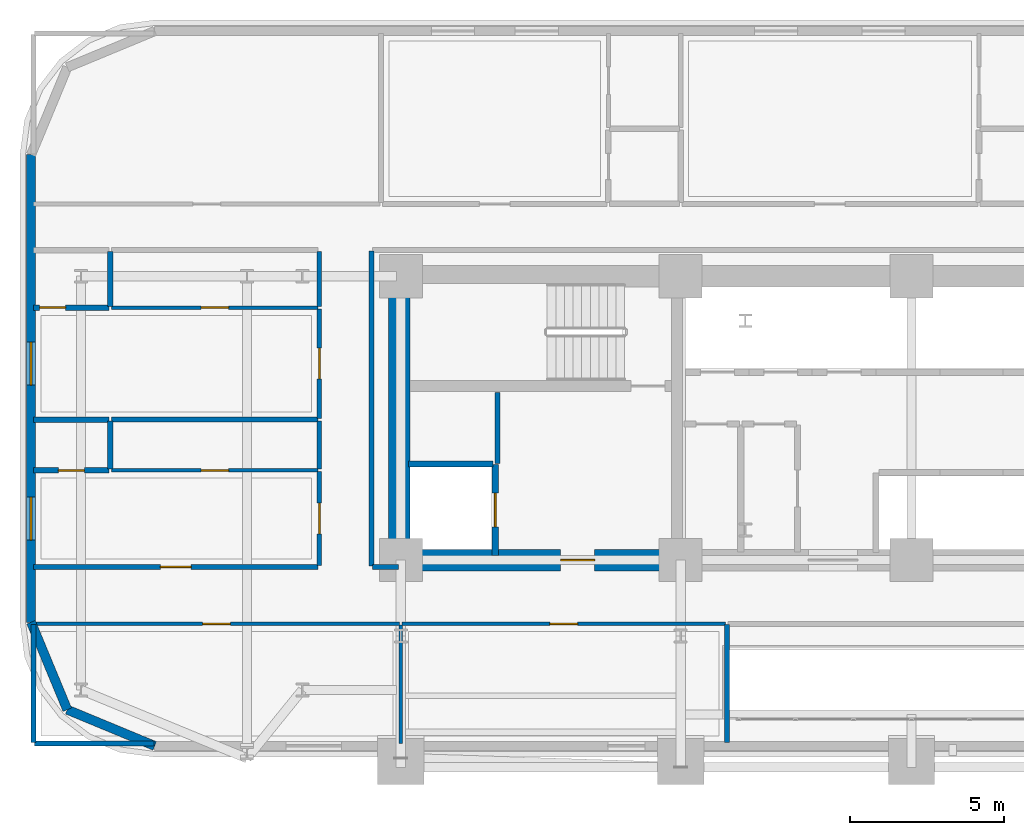
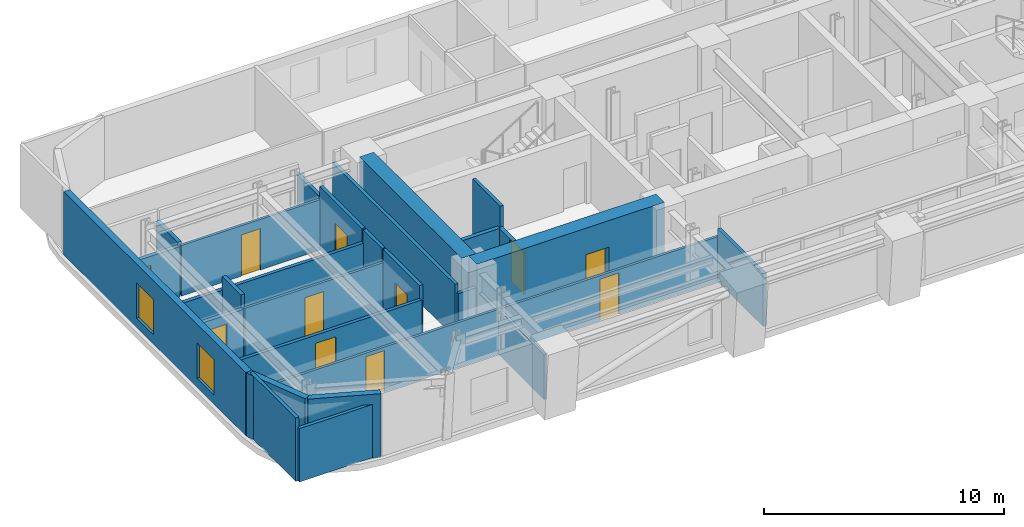
# One storey, part 8 of 16: 29 walls, 11 doors, 2 windows, 13 openings.
"""IFC4 building model written with IfcOpenShell, lengths in metres."""

from ifc_helpers import new_model, si_unit, direction, frame, frame_2d, origin, place, context, subcontext, project, spatial, rectangle, extrude, material, layer, layer_set, type_object, element, fill, save


model = new_model("IFC4")

# Units and contexts
model_context = context("Model", 3, precision=1e-05, world=origin(), true_north=direction((0.0, 1.0)))
body_context = subcontext(model_context, "Body", "Model", "MODEL_VIEW")
ifc_project = project(units=[si_unit("LENGTHUNIT", "METRE"), si_unit("AREAUNIT", "SQUARE_METRE"), si_unit("VOLUMEUNIT", "CUBIC_METRE"), si_unit("PLANEANGLEUNIT", "RADIAN"), si_unit("MASSUNIT", "GRAM", prefix="KILO")], contexts=[model_context])

# Site, building, storey
site_placement = place(None, origin())
site = spatial("IfcSite", under=ifc_project, at=site_placement, CompositionType="ELEMENT")
building_placement = place(site_placement, origin())
building = spatial("IfcBuilding", under=site, at=building_placement, Name="Zarnavel Station Tower", CompositionType="ELEMENT")
storey_placement = place(building_placement, frame((0.0, 0.0, 53.5)))
storey = spatial("IfcBuildingStorey", under=building, at=storey_placement, Name="L14", CompositionType="ELEMENT", Elevation=53.5)

# Wall, opening, door
ifc_material_1 = material(Name="Concrete C60/75", Category="concrete")
ifc_layer_1 = layer(ifc_material_1, 0.699951171875)
ifc_layer_set_1 = layer_set([ifc_layer_1], Name="CW_700")
wall_type_1 = type_object("IfcWallType", Name="CW_700", PredefinedType="SHEAR", material=ifc_layer_set_1)
wall_1_placement = place(storey_placement, frame((21.179931640625, 27.820068359375, 0.0), z_axis=(0.0, 0.0, 1.0), x_axis=(-1.0, 0.0, 0.0)))
wall_1 = element("IfcWall", 1, at=wall_1_placement, inside=storey, type_object=wall_type_1, Name="L14 Rear Core Shear Wall S-W", PredefinedType="SHEAR", context=body_context, shape_type="SweptSolid", body=[
    extrude(rectangle(XDim=9.030029296875, YDim=0.699951171875, at=frame_2d((4.51513671875, 0.0))), origin(), (0.0, 0.0, 1.0), 3.5),
])
opening_1_placement = place(wall_1_placement, frame((2.679931640625, 0.0, 0.0)))
opening_1 = element("IfcOpeningElement", 2, at=opening_1_placement, cuts=wall_1, Name="Opening FD01", PredefinedType="OPENING", context=body_context, shape_type="SweptSolid", body=[
    extrude(rectangle(XDim=1.10009765625, YDim=2.14990234375, at=frame_2d((0.550048828125, 1.074951171875))), frame((0.0, 0.35986328125, 0.0), z_axis=(0.0, -1.0, 0.0), x_axis=(1.0, 0.0, 0.0)), (0.0, 0.0, 1.0), 0.719970703125),
])
ifc_material_2 = material(Name="Painted Galvanised Steel and Hardwood Leaf", Category="steel")
door_type_1 = type_object("IfcDoorType", Name="ID_STAIR_1100", OperationType="NOTDEFINED", PredefinedType="DOOR", material=ifc_material_2)
door_1_placement = place(opening_1_placement, origin())
door_1 = element("IfcDoor", 3, at=door_1_placement, inside=storey, type_object=door_type_1, Name="L14 West Firefighting Lobby Door", OperationType="SINGLE_SWING_RIGHT", OverallHeight=2.14990234375, OverallWidth=1.10009765625, PredefinedType="DOOR", context=body_context, shape_type="SweptSolid", body=[
    extrude(rectangle(XDim=1.10009765625, YDim=2.14990234375, at=frame_2d((0.550048828125, 1.074951171875))), frame((0.0, 0.02490234375, 0.0), z_axis=(0.0, -1.0, 0.0), x_axis=(1.0, 0.0, 0.0)), (0.0, 0.0, 1.0), 0.050048828125),
])
fill(opening_1, door_1)

# Wall
wall_2_placement = place(storey_placement, frame((12.14990234375, 28.169921875, 0.0), z_axis=(0.0, 0.0, 1.0), x_axis=(0.0, 1.0, 0.0)))
element("IfcWall", 4, at=wall_2_placement, inside=storey, type_object=wall_type_1, Name="L14 Rear Core Shear Wall W", PredefinedType="SHEAR", context=body_context, shape_type="SweptSolid", body=[
    extrude(rectangle(XDim=8.530029296875, YDim=0.699951171875, at=frame_2d((4.26513671875, 0.0))), origin(), (0.0, 0.0, 1.0), 3.5),
])

# Wall, openings, windows
ifc_material_3 = material(Name="Precast concrete C45/55 (Dark Basalt Finish)", Category="masonry")
ifc_layer_2 = layer(ifc_material_3, 0.300048828125)
ifc_layer_set_2 = layer_set([ifc_layer_2], Name="EW_BASALT_300")
wall_type_2 = type_object("IfcWallType", Name="EW_BASALT_300", PredefinedType="SOLIDWALL", material=ifc_layer_set_2)
wall_3_placement = place(storey_placement, frame((0.179931640625, 25.800048828125, 0.0), z_axis=(0.0, 0.0, 1.0), x_axis=(0.0, 1.0, 0.0)))
wall_3 = element("IfcWall", 5, at=wall_3_placement, inside=storey, type_object=wall_type_2, Name="L14 Exterior Basalt Masonry Frame Wall 09", PredefinedType="SOLIDWALL", context=body_context, shape_type="SweptSolid", body=[
    extrude(rectangle(XDim=15.199951171875, YDim=0.300048828125, at=frame_2d((7.60009765625, 0.0))), origin(), (0.0, 0.0, 1.0), 3.239990234375),
])
opening_2_placement = place(wall_3_placement, frame((2.67041015625, 0.0, 0.47998046875)))
opening_2 = element("IfcOpeningElement", 6, at=opening_2_placement, cuts=wall_3, Name="Opening WN01", PredefinedType="OPENING", context=body_context, shape_type="SweptSolid", body=[
    extrude(rectangle(XDim=1.39990234375, YDim=1.800048828125, at=frame_2d((0.699951171875, 0.89990234375))), frame((0.0, 0.159912109375, 0.0), z_axis=(0.0, -1.0, 0.0), x_axis=(1.0, 0.0, 0.0)), (0.0, 0.0, 1.0), 0.320068359375),
])
opening_3_placement = place(wall_3_placement, frame((7.708984375, 0.0, 0.47998046875)))
opening_3 = element("IfcOpeningElement", 7, at=opening_3_placement, cuts=wall_3, Name="Opening WN01", PredefinedType="OPENING", context=body_context, shape_type="SweptSolid", body=[
    extrude(rectangle(XDim=1.39990234375, YDim=1.800048828125, at=frame_2d((0.699951171875, 0.89990234375))), frame((0.0, 0.159912109375, 0.0), z_axis=(0.0, -1.0, 0.0), x_axis=(1.0, 0.0, 0.0)), (0.0, 0.0, 1.0), 0.320068359375),
])
ifc_material_4 = material(Name="Thermally Broken Black Aluminium and Low-E Dark Glass", Category="aluminium")
window_type = type_object("IfcWindowType", Name="WN_1400x1800", PartitioningType="DOUBLE_PANEL_VERTICAL", PredefinedType="WINDOW", material=ifc_material_4)
window_1_placement = place(opening_2_placement, origin())
window_1 = element("IfcWindow", 8, at=window_1_placement, inside=storey, type_object=window_type, Name="L14 Recessed Facade Window 01", OverallHeight=1.800048828125, OverallWidth=1.39990234375, PartitioningType="SINGLE_PANEL", PredefinedType="WINDOW", context=body_context, shape_type="SweptSolid", body=[
    extrude(rectangle(XDim=1.39990234375, YDim=1.800048828125, at=frame_2d((0.699951171875, 0.89990234375))), frame((0.0, 0.030029296875, 0.0), z_axis=(0.0, -1.0, 0.0), x_axis=(1.0, 0.0, 0.0)), (0.0, 0.0, 1.0), 0.06005859375),
])
fill(opening_2, window_1)
window_2_placement = place(opening_3_placement, origin())
window_2 = element("IfcWindow", 9, at=window_2_placement, inside=storey, type_object=window_type, Name="L14 Recessed Facade Window 02", OverallHeight=1.800048828125, OverallWidth=1.39990234375, PartitioningType="SINGLE_PANEL", PredefinedType="WINDOW", context=body_context, shape_type="SweptSolid", body=[
    extrude(rectangle(XDim=1.39990234375, YDim=1.800048828125, at=frame_2d((0.699951171875, 0.89990234375))), frame((0.0, 0.030029296875, 0.0), z_axis=(0.0, -1.0, 0.0), x_axis=(1.0, 0.0, 0.0)), (0.0, 0.0, 1.0), 0.06005859375),
])
fill(opening_3, window_2)

# Walls
for number, where, z_axis, x_axis, name in (
    (10, (1.357421875, 22.95751953125, 0.0), (0.0, 0.0, 1.0), (-0.382704529509, 0.923870793506, 0.0), "L14 Exterior Basalt Masonry Frame Wall 10"),
    (11, (4.199951171875, 21.780029296875, 0.0), (0.0, 0.0, 1.0), (-0.923870793506, 0.382704529509, 0.0), "L14 Exterior Basalt Masonry Frame Wall 11"),
):
    element("IfcWall", number, at=place(storey_placement, frame(where, z_axis=z_axis, x_axis=x_axis)), inside=storey, type_object=wall_type_2, Name=name, PredefinedType="SOLIDWALL", context=body_context, shape_type="SweptSolid", body=[
        extrude(rectangle(XDim=3.07666015625, YDim=0.300048828125, at=frame_2d((1.538330078125, 0.0))), origin(), (0.0, 0.0, 1.0), 3.239990234375),
    ])

# Wall, opening, door
ifc_material_5 = material(Name="Gypsum Twin-Stud Acoustic Fire Partition", Category="concrete")
ifc_layer_3 = layer(ifc_material_5, 0.159912109375)
ifc_layer_set_3 = layer_set([ifc_layer_3], Name="PT_DEMISE_160")
wall_type_3 = type_object("IfcWallType", Name="PT_DEMISE_160", PredefinedType="PARTITIONING", material=ifc_layer_set_3)
wall_4_placement = place(storey_placement, frame((0.260009765625, 27.60009765625, 0.0), z_axis=(0.0, 0.0, 1.0), x_axis=(1.0, 0.0, 0.0)))
wall_4 = element("IfcWall", 12, at=wall_4_placement, inside=storey, type_object=wall_type_3, Name="L14 Partition COR-S-FNW1R", PredefinedType="PARTITIONING", context=body_context, shape_type="SweptSolid", body=[
    extrude(rectangle(XDim=9.25, YDim=0.159912109375, at=frame_2d((4.625, 0.0))), origin(), (0.0, 0.0, 1.0), 2.570068359375),
])
opening_4_placement = place(wall_4_placement, frame((4.125, 0.0, 0.0)))
opening_4 = element("IfcOpeningElement", 13, at=opening_4_placement, cuts=wall_4, Name="Opening FD02", PredefinedType="OPENING", context=body_context, shape_type="SweptSolid", body=[
    extrude(rectangle(XDim=1.0, YDim=2.14990234375, at=frame_2d((0.5, 1.074951171875))), frame((0.0, 0.08984375, 0.0), z_axis=(0.0, -1.0, 0.0), x_axis=(1.0, 0.0, 0.0)), (0.0, 0.0, 1.0), 0.179931640625),
])
ifc_material_6 = material(Name="Painted Galvanised Steel and Hardwood Leaf", Category="steel")
door_type_2 = type_object("IfcDoorType", Name="ID_ENTRY_1000", OperationType="NOTDEFINED", PredefinedType="DOOR", material=ifc_material_6)
door_2_placement = place(opening_4_placement, origin())
door_2 = element("IfcDoor", 14, at=door_2_placement, inside=storey, type_object=door_type_2, Name="L14 Door COR-S-FNW1R", OperationType="SINGLE_SWING_RIGHT", OverallHeight=2.14990234375, OverallWidth=1.0, PredefinedType="DOOR", context=body_context, shape_type="SweptSolid", body=[
    extrude(rectangle(XDim=1.0, YDim=2.14990234375, at=frame_2d((0.5, 1.074951171875))), frame((0.0, 0.02490234375, 0.0), z_axis=(0.0, -1.0, 0.0), x_axis=(1.0, 0.0, 0.0)), (0.0, 0.0, 1.0), 0.050048828125),
])
fill(opening_4, door_2)

wall_5_placement = place(storey_placement, frame((9.550048828125, 27.639892578125, 0.0), z_axis=(0.0, 0.0, 1.0), x_axis=(0.0, 1.0, 0.0)))
wall_5 = element("IfcWall", 15, at=wall_5_placement, inside=storey, type_object=wall_type_3, Name="L14 Partition COR-W-FNW1R", PredefinedType="PARTITIONING", context=body_context, shape_type="SweptSolid", body=[
    extrude(rectangle(XDim=3.06103515625, YDim=0.159912109375, at=frame_2d((1.530517578125, 0.0))), origin(), (0.0, 0.0, 1.0), 3.239990234375),
])
opening_5_placement = place(wall_5_placement, frame((1.030517578125, 0.0, 0.0)))
opening_5 = element("IfcOpeningElement", 16, at=opening_5_placement, cuts=wall_5, Name="Opening FD02", PredefinedType="OPENING", context=body_context, shape_type="SweptSolid", body=[
    extrude(rectangle(XDim=1.0, YDim=2.14990234375, at=frame_2d((0.5, 1.074951171875))), frame((0.0, 0.08984375, 0.0), z_axis=(0.0, -1.0, 0.0), x_axis=(1.0, 0.0, 0.0)), (0.0, 0.0, 1.0), 0.179931640625),
])
door_3_placement = place(opening_5_placement, origin())
door_3 = element("IfcDoor", 17, at=door_3_placement, inside=storey, type_object=door_type_2, Name="L14 Door COR-W-FNW1R", OperationType="SINGLE_SWING_RIGHT", OverallHeight=2.14990234375, OverallWidth=1.0, PredefinedType="DOOR", context=body_context, shape_type="SweptSolid", body=[
    extrude(rectangle(XDim=1.0, YDim=2.14990234375, at=frame_2d((0.5, 1.074951171875))), frame((0.0, 0.02490234375, 0.0), z_axis=(0.0, -1.0, 0.0), x_axis=(1.0, 0.0, 0.0)), (0.0, 0.0, 1.0), 0.050048828125),
])
fill(opening_5, door_3)

# Wall
wall_6_placement = place(storey_placement, frame((9.550048828125, 30.781005859375, 0.0), z_axis=(0.0, 0.0, 1.0), x_axis=(0.0, 1.0, 0.0)))
element("IfcWall", 18, at=wall_6_placement, inside=storey, type_object=wall_type_3, Name="L14 Partition COR-W-FNW1S", PredefinedType="PARTITIONING", context=body_context, shape_type="SweptSolid", body=[
    extrude(rectangle(XDim=1.570068359375, YDim=0.159912109375, at=frame_2d((0.78515625, 0.0))), origin(), (0.0, 0.0, 1.0), 3.239990234375),
])

# Wall, opening, door
wall_7_placement = place(storey_placement, frame((9.550048828125, 32.430908203125, 0.0), z_axis=(0.0, 0.0, 1.0), x_axis=(0.0, 1.0, 0.0)))
wall_7 = element("IfcWall", 19, at=wall_7_placement, inside=storey, type_object=wall_type_3, Name="L14 Partition COR-W-FNW2R", PredefinedType="PARTITIONING", context=body_context, shape_type="SweptSolid", body=[
    extrude(rectangle(XDim=3.55615234375, YDim=0.159912109375, at=frame_2d((1.778076171875, 0.0))), origin(), (0.0, 0.0, 1.0), 3.239990234375),
])
opening_6_placement = place(wall_7_placement, frame((1.278076171875, 0.0, 0.0)))
opening_6 = element("IfcOpeningElement", 20, at=opening_6_placement, cuts=wall_7, Name="Opening FD02", PredefinedType="OPENING", context=body_context, shape_type="SweptSolid", body=[
    extrude(rectangle(XDim=1.0, YDim=2.14990234375, at=frame_2d((0.5, 1.074951171875))), frame((0.0, 0.08984375, 0.0), z_axis=(0.0, -1.0, 0.0), x_axis=(1.0, 0.0, 0.0)), (0.0, 0.0, 1.0), 0.179931640625),
])
door_4_placement = place(opening_6_placement, origin())
door_4 = element("IfcDoor", 21, at=door_4_placement, inside=storey, type_object=door_type_2, Name="L14 Door COR-W-FNW2R", OperationType="SINGLE_SWING_LEFT", OverallHeight=2.14990234375, OverallWidth=1.0, PredefinedType="DOOR", context=body_context, shape_type="SweptSolid", body=[
    extrude(rectangle(XDim=1.0, YDim=2.14990234375, at=frame_2d((0.5, 1.074951171875))), frame((0.0, 0.02490234375, 0.0), z_axis=(0.0, -1.0, 0.0), x_axis=(1.0, 0.0, 0.0)), (0.0, 0.0, 1.0), 0.050048828125),
])
fill(opening_6, door_4)

# Walls
wall_8_placement = place(storey_placement, frame((9.550048828125, 36.06689453125, 0.0), z_axis=(0.0, 0.0, 1.0), x_axis=(0.0, 1.0, 0.0)))
element("IfcWall", 22, at=wall_8_placement, inside=storey, type_object=wall_type_3, Name="L14 Partition COR-W-FNW2S", PredefinedType="PARTITIONING", context=body_context, shape_type="SweptSolid", body=[
    extrude(rectangle(XDim=1.793212890625, YDim=0.159912109375, at=frame_2d((0.896484375, 0.0))), origin(), (0.0, 0.0, 1.0), 2.719970703125),
])
wall_9_placement = place(storey_placement, frame((2.800048828125, 32.39111328125, 0.0), z_axis=(0.0, 0.0, 1.0), x_axis=(1.0, 0.0, 0.0)))
element("IfcWall", 23, at=wall_9_placement, inside=storey, type_object=wall_type_3, Name="L14 Partition FNW1S-FNW2R", PredefinedType="PARTITIONING", context=body_context, shape_type="SweptSolid", body=[
    extrude(rectangle(XDim=6.7099609375, YDim=0.159912109375, at=frame_2d((3.35498046875, 0.0))), origin(), (0.0, 0.0, 1.0), 2.570068359375),
])
wall_10_placement = place(storey_placement, frame((15.35009765625, 30.9599609375, 0.0), z_axis=(0.0, 0.0, 1.0), x_axis=(0.0, 1.0, 0.0)))
element("IfcWall", 24, at=wall_10_placement, inside=storey, type_object=wall_type_3, Name="L14 Enclosure Wall FFL1", PredefinedType="PARTITIONING", context=body_context, shape_type="SweptSolid", body=[
    extrude(rectangle(XDim=2.31005859375, YDim=0.159912109375, at=frame_2d((1.155029296875, 0.0))), origin(), (0.0, 0.0, 1.0), 3.239990234375),
])
wall_11_placement = place(storey_placement, frame((11.280029296875, 27.60009765625, 0.0), z_axis=(0.0, 0.0, 1.0), x_axis=(1.0, 0.0, 0.0)))
element("IfcWall", 25, at=wall_11_placement, inside=storey, type_object=wall_type_3, Name="L14 Enclosure Wall COR-S", PredefinedType="PARTITIONING", context=body_context, shape_type="SweptSolid", body=[
    extrude(rectangle(XDim=0.840087890625, YDim=0.159912109375, at=frame_2d((0.419921875, 0.0))), origin(), (0.0, 0.0, 1.0), 2.280029296875),
])
wall_12_placement = place(storey_placement, frame((11.25, 27.6298828125, 0.0), z_axis=(0.0, 0.0, 1.0), x_axis=(0.0, 1.0, 0.0)))
element("IfcWall", 26, at=wall_12_placement, inside=storey, type_object=wall_type_3, Name="L14 Enclosure Wall COR-W", PredefinedType="PARTITIONING", context=body_context, shape_type="SweptSolid", body=[
    extrude(rectangle(XDim=10.240234375, YDim=0.159912109375, at=frame_2d((5.1201171875, 0.0))), origin(), (0.0, 0.0, 1.0), 2.719970703125),
])
wall_13_placement = place(storey_placement, frame((0.2900390625, 21.860107421875, 0.0), z_axis=(0.0, 0.0, 1.0), x_axis=(1.0, 0.0, 0.0)))
element("IfcWall", 27, at=wall_13_placement, inside=storey, type_object=wall_type_3, Name="L14 Enclosure Wall Z1BIZ", PredefinedType="PARTITIONING", context=body_context, shape_type="SweptSolid", body=[
    extrude(rectangle(XDim=3.8798828125, YDim=0.159912109375, at=frame_2d((1.93994140625, 0.0))), origin(), (0.0, 0.0, 1.0), 2.719970703125),
])
wall_14_placement = place(storey_placement, frame((0.260009765625, 21.889892578125, 0.0), z_axis=(0.0, 0.0, 1.0), x_axis=(0.0, 1.0, 0.0)))
element("IfcWall", 28, at=wall_14_placement, inside=storey, type_object=wall_type_3, Name="L14 Enclosure Wall Z1BIZ", PredefinedType="PARTITIONING", context=body_context, shape_type="SweptSolid", body=[
    extrude(rectangle(XDim=3.830078125, YDim=0.159912109375, at=frame_2d((1.9150390625, 0.0))), origin(), (0.0, 0.0, 1.0), 3.239990234375),
])
wall_15_placement = place(storey_placement, frame((22.800048828125, 21.889892578125, 0.0), z_axis=(0.0, 0.0, 1.0), x_axis=(0.0, 1.0, 0.0)))
element("IfcWall", 29, at=wall_15_placement, inside=storey, type_object=wall_type_3, Name="L14 Enclosure Wall Z1BRD", PredefinedType="PARTITIONING", context=body_context, shape_type="SweptSolid", body=[
    extrude(rectangle(XDim=3.830078125, YDim=0.159912109375, at=frame_2d((1.9150390625, 0.0))), origin(), (0.0, 0.0, 1.0), 2.679931640625),
])

# Wall, opening, door
ifc_material_7 = material(Name="Gypsum Metal-Stud Interior Partition", Category="concrete")
ifc_layer_4 = layer(ifc_material_7, 0.1201171875)
ifc_layer_set_4 = layer_set([ifc_layer_4], Name="PT_ROOM_120")
wall_type_4 = type_object("IfcWallType", Name="PT_ROOM_120", PredefinedType="PARTITIONING", material=ifc_layer_set_4)
wall_16_placement = place(storey_placement, frame((0.260009765625, 25.75, 0.0), z_axis=(0.0, 0.0, 1.0), x_axis=(1.0, 0.0, 0.0)))
wall_16 = element("IfcWall", 30, at=wall_16_placement, inside=storey, type_object=wall_type_4, Name="L14 Partition COR-S-Z1BIZ", PredefinedType="PARTITIONING", context=body_context, shape_type="SweptSolid", body=[
    extrude(rectangle(XDim=11.89990234375, YDim=0.1201171875, at=frame_2d((5.949951171875, 0.0))), origin(), (0.0, 0.0, 1.0), 2.280029296875),
])
opening_7_placement = place(wall_16_placement, frame((5.5, 0.0, 0.0)))
opening_7 = element("IfcOpeningElement", 31, at=opening_7_placement, cuts=wall_16, Name="Opening ID01", PredefinedType="OPENING", context=body_context, shape_type="SweptSolid", body=[
    extrude(rectangle(XDim=0.89990234375, YDim=2.10009765625, at=frame_2d((0.449951171875, 1.050048828125))), frame((0.0, 0.070068359375, 0.0), z_axis=(0.0, -1.0, 0.0), x_axis=(1.0, 0.0, 0.0)), (0.0, 0.0, 1.0), 0.14013671875),
])
ifc_material_8 = material(Name="Painted Galvanised Steel and Hardwood Leaf", Category="steel")
door_type_3 = type_object("IfcDoorType", Name="ID_ROOM_900", OperationType="NOTDEFINED", PredefinedType="DOOR", material=ifc_material_8)
door_5_placement = place(opening_7_placement, origin())
door_5 = element("IfcDoor", 32, at=door_5_placement, inside=storey, type_object=door_type_3, Name="L14 Door COR-S-Z1BIZ", OperationType="SINGLE_SWING_RIGHT", OverallHeight=2.10009765625, OverallWidth=0.89990234375, PredefinedType="DOOR", context=body_context, shape_type="SweptSolid", body=[
    extrude(rectangle(XDim=0.89990234375, YDim=2.10009765625, at=frame_2d((0.449951171875, 1.050048828125))), frame((0.0, 0.02490234375, 0.0), z_axis=(0.0, -1.0, 0.0), x_axis=(1.0, 0.0, 0.0)), (0.0, 0.0, 1.0), 0.050048828125),
])
fill(opening_7, door_5)

wall_17_placement = place(storey_placement, frame((12.239990234375, 25.75, 0.0), z_axis=(0.0, 0.0, 1.0), x_axis=(1.0, 0.0, 0.0)))
wall_17 = element("IfcWall", 33, at=wall_17_placement, inside=storey, type_object=wall_type_4, Name="L14 Partition COR-S-Z1BRD", PredefinedType="PARTITIONING", context=body_context, shape_type="SweptSolid", body=[
    extrude(rectangle(XDim=10.52001953125, YDim=0.1201171875, at=frame_2d((5.260009765625, 0.0))), origin(), (0.0, 0.0, 1.0), 2.280029296875),
])
opening_8_placement = place(wall_17_placement, frame((4.81005859375, 0.0, 0.0)))
opening_8 = element("IfcOpeningElement", 34, at=opening_8_placement, cuts=wall_17, Name="Opening ID01", PredefinedType="OPENING", context=body_context, shape_type="SweptSolid", body=[
    extrude(rectangle(XDim=0.89990234375, YDim=2.10009765625, at=frame_2d((0.449951171875, 1.050048828125))), frame((0.0, 0.070068359375, 0.0), z_axis=(0.0, -1.0, 0.0), x_axis=(1.0, 0.0, 0.0)), (0.0, 0.0, 1.0), 0.14013671875),
])
door_6_placement = place(opening_8_placement, origin())
door_6 = element("IfcDoor", 35, at=door_6_placement, inside=storey, type_object=door_type_3, Name="L14 Door COR-S-Z1BRD", OperationType="SINGLE_SWING_LEFT", OverallHeight=2.10009765625, OverallWidth=0.89990234375, PredefinedType="DOOR", context=body_context, shape_type="SweptSolid", body=[
    extrude(rectangle(XDim=0.89990234375, YDim=2.10009765625, at=frame_2d((0.449951171875, 1.050048828125))), frame((0.0, 0.02490234375, 0.0), z_axis=(0.0, -1.0, 0.0), x_axis=(1.0, 0.0, 0.0)), (0.0, 0.0, 1.0), 0.050048828125),
])
fill(opening_8, door_6)

wall_18_placement = place(storey_placement, frame((2.800048828125, 30.740966796875, 0.0), z_axis=(0.0, 0.0, 1.0), x_axis=(1.0, 0.0, 0.0)))
wall_18 = element("IfcWall", 36, at=wall_18_placement, inside=storey, type_object=wall_type_4, Name="L14 Partition FNW1R-FNW1S", PredefinedType="PARTITIONING", context=body_context, shape_type="SweptSolid", body=[
    extrude(rectangle(XDim=6.7099609375, YDim=0.1201171875, at=frame_2d((3.35498046875, 0.0))), origin(), (0.0, 0.0, 1.0), 2.570068359375),
])
opening_9_placement = place(wall_18_placement, frame((2.905029296875, 0.0, 0.0)))
opening_9 = element("IfcOpeningElement", 37, at=opening_9_placement, cuts=wall_18, Name="Opening ID01", PredefinedType="OPENING", context=body_context, shape_type="SweptSolid", body=[
    extrude(rectangle(XDim=0.89990234375, YDim=2.10009765625, at=frame_2d((0.449951171875, 1.050048828125))), frame((0.0, 0.070068359375, 0.0), z_axis=(0.0, -1.0, 0.0), x_axis=(1.0, 0.0, 0.0)), (0.0, 0.0, 1.0), 0.14013671875),
])
door_7_placement = place(opening_9_placement, origin())
door_7 = element("IfcDoor", 38, at=door_7_placement, inside=storey, type_object=door_type_3, Name="L14 Door FNW1R-FNW1S", OperationType="SINGLE_SWING_RIGHT", OverallHeight=2.10009765625, OverallWidth=0.89990234375, PredefinedType="DOOR", context=body_context, shape_type="SweptSolid", body=[
    extrude(rectangle(XDim=0.89990234375, YDim=2.10009765625, at=frame_2d((0.449951171875, 1.050048828125))), frame((0.0, 0.02490234375, 0.0), z_axis=(0.0, -1.0, 0.0), x_axis=(1.0, 0.0, 0.0)), (0.0, 0.0, 1.0), 0.050048828125),
])
fill(opening_9, door_7)

wall_19_placement = place(storey_placement, frame((2.800048828125, 36.027099609375, 0.0), z_axis=(0.0, 0.0, 1.0), x_axis=(1.0, 0.0, 0.0)))
wall_19 = element("IfcWall", 39, at=wall_19_placement, inside=storey, type_object=wall_type_4, Name="L14 Partition FNW2R-FNW2S", PredefinedType="PARTITIONING", context=body_context, shape_type="SweptSolid", body=[
    extrude(rectangle(XDim=6.7099609375, YDim=0.1201171875, at=frame_2d((3.35498046875, 0.0))), origin(), (0.0, 0.0, 1.0), 2.570068359375),
])
opening_10_placement = place(wall_19_placement, frame((2.905029296875, 0.0, 0.0)))
opening_10 = element("IfcOpeningElement", 40, at=opening_10_placement, cuts=wall_19, Name="Opening ID01", PredefinedType="OPENING", context=body_context, shape_type="SweptSolid", body=[
    extrude(rectangle(XDim=0.89990234375, YDim=2.10009765625, at=frame_2d((0.449951171875, 1.050048828125))), frame((0.0, 0.070068359375, 0.0), z_axis=(0.0, -1.0, 0.0), x_axis=(1.0, 0.0, 0.0)), (0.0, 0.0, 1.0), 0.14013671875),
])
door_8_placement = place(opening_10_placement, origin())
door_8 = element("IfcDoor", 41, at=door_8_placement, inside=storey, type_object=door_type_3, Name="L14 Door FNW2R-FNW2S", OperationType="SINGLE_SWING_RIGHT", OverallHeight=2.10009765625, OverallWidth=0.89990234375, PredefinedType="DOOR", context=body_context, shape_type="SweptSolid", body=[
    extrude(rectangle(XDim=0.89990234375, YDim=2.10009765625, at=frame_2d((0.449951171875, 1.050048828125))), frame((0.0, 0.02490234375, 0.0), z_axis=(0.0, -1.0, 0.0), x_axis=(1.0, 0.0, 0.0)), (0.0, 0.0, 1.0), 0.050048828125),
])
fill(opening_10, door_8)

# Wall
wall_20_placement = place(storey_placement, frame((12.199951171875, 21.860107421875, 0.0), z_axis=(0.0, 0.0, 1.0), x_axis=(0.0, 1.0, 0.0)))
element("IfcWall", 42, at=wall_20_placement, inside=storey, type_object=wall_type_4, Name="L14 Partition Z1BIZ-Z1BRD", PredefinedType="PARTITIONING", context=body_context, shape_type="SweptSolid", body=[
    extrude(rectangle(XDim=3.849853515625, YDim=0.1201171875, at=frame_2d((1.9248046875, 0.0))), origin(), (0.0, 0.0, 1.0), 2.280029296875),
])

# Wall, opening, door
ifc_material_9 = material(Name="Precast concrete C45/55 (Fire Shaft Blockwork)", Category="masonry")
ifc_layer_5 = layer(ifc_material_9, 0.199951171875)
ifc_layer_set_5 = layer_set([ifc_layer_5], Name="PT_SHAFT_200")
wall_type_5 = type_object("IfcWallType", Name="PT_SHAFT_200", PredefinedType="PARTITIONING", material=ifc_layer_set_5)
wall_21_placement = place(storey_placement, frame((15.27001953125, 27.969970703125, 0.0), z_axis=(0.0, 0.0, 1.0), x_axis=(0.0, 1.0, 0.0)))
wall_21 = element("IfcWall", 43, at=wall_21_placement, inside=storey, type_object=wall_type_5, Name="L14 Lift FFL-01 Shaft Front Wall", PredefinedType="PARTITIONING", context=body_context, shape_type="SweptSolid", body=[
    extrude(rectangle(XDim=2.9599609375, YDim=0.199951171875, at=frame_2d((1.47998046875, 0.0))), origin(), (0.0, 0.0, 1.0), 2.2119140625),
])
opening_11_placement = place(wall_21_placement, frame((0.929931640625, 0.0, 0.0)))
opening_11 = element("IfcOpeningElement", 44, at=opening_11_placement, cuts=wall_21, Name="Opening LD01", PredefinedType="OPENING", context=body_context, shape_type="SweptSolid", body=[
    extrude(rectangle(XDim=1.10009765625, YDim=2.14990234375, at=frame_2d((0.550048828125, 1.074951171875))), frame((0.0, 0.10986328125, 0.0), z_axis=(0.0, -1.0, 0.0), x_axis=(1.0, 0.0, 0.0)), (0.0, 0.0, 1.0), 0.219970703125),
])
ifc_material_10 = material(Name="Painted Galvanised Steel and Hardwood Leaf", Category="steel")
door_type_4 = type_object("IfcDoorType", Name="LD_FF_1100", OperationType="DOUBLE_DOOR_SLIDING", PredefinedType="DOOR", material=ifc_material_10)
door_9_placement = place(opening_11_placement, origin())
door_9 = element("IfcDoor", 45, at=door_9_placement, inside=storey, type_object=door_type_4, Name="L14 Lift FFL-01 Sliding Landing Door", OperationType="DOUBLE_DOOR_SLIDING", OverallHeight=2.14990234375, OverallWidth=1.10009765625, PredefinedType="DOOR", context=body_context, shape_type="SweptSolid", body=[
    extrude(rectangle(XDim=1.10009765625, YDim=2.14990234375, at=frame_2d((0.550048828125, 1.074951171875))), frame((0.0, 0.02490234375, 0.0), z_axis=(0.0, -1.0, 0.0), x_axis=(1.0, 0.0, 0.0)), (0.0, 0.0, 1.0), 0.050048828125),
])
fill(opening_11, door_9)

# Wall
wall_22_placement = place(storey_placement, frame((12.449951171875, 30.949951171875, 0.0), z_axis=(0.0, 0.0, 1.0), x_axis=(1.0, 0.0, 0.0)))
element("IfcWall", 46, at=wall_22_placement, inside=storey, type_object=wall_type_5, Name="L14 Lift FFL-01 North Shaft Wall", PredefinedType="PARTITIONING", context=body_context, shape_type="SweptSolid", body=[
    extrude(rectangle(XDim=2.75, YDim=0.199951171875, at=frame_2d((1.375, 0.0))), origin(), (0.0, 0.0, 1.0), 2.2119140625),
])

# Wall, opening, door
ifc_material_11 = material(Name="Moisture-Resistant Plumbing Chase Wall", Category="concrete")
ifc_layer_6 = layer(ifc_material_11, 0.179931640625)
ifc_layer_set_6 = layer_set([ifc_layer_6], Name="PW_PLUMB_180")
wall_type_6 = type_object("IfcWallType", Name="PW_PLUMB_180", PredefinedType="PLUMBINGWALL", material=ifc_layer_set_6)
wall_23_placement = place(storey_placement, frame((0.260009765625, 30.740966796875, 0.0), z_axis=(0.0, 0.0, 1.0), x_axis=(1.0, 0.0, 0.0)))
wall_23 = element("IfcWall", 47, at=wall_23_placement, inside=storey, type_object=wall_type_6, Name="L14 Partition FNW1R-FNW1B", PredefinedType="PLUMBINGWALL", context=body_context, shape_type="SweptSolid", body=[
    extrude(rectangle(XDim=2.4599609375, YDim=0.179931640625, at=frame_2d((1.22998046875, 0.0))), origin(), (0.0, 0.0, 1.0), 2.570068359375),
])
opening_12_placement = place(wall_23_placement, frame((0.804931640625, 0.0, 0.0)))
opening_12 = element("IfcOpeningElement", 48, at=opening_12_placement, cuts=wall_23, Name="Opening ID02", PredefinedType="OPENING", context=body_context, shape_type="SweptSolid", body=[
    extrude(rectangle(XDim=0.85009765625, YDim=2.10009765625, at=frame_2d((0.425048828125, 1.050048828125))), frame((0.0, 0.099853515625, 0.0), z_axis=(0.0, -1.0, 0.0), x_axis=(1.0, 0.0, 0.0)), (0.0, 0.0, 1.0), 0.199951171875),
])
ifc_material_12 = material(Name="Painted Galvanised Steel and Hardwood Leaf", Category="steel")
door_type_5 = type_object("IfcDoorType", Name="ID_BATH_850", OperationType="NOTDEFINED", PredefinedType="DOOR", material=ifc_material_12)
door_10_placement = place(opening_12_placement, origin())
door_10 = element("IfcDoor", 49, at=door_10_placement, inside=storey, type_object=door_type_5, Name="L14 Door FNW1R-FNW1B", OperationType="SINGLE_SWING_LEFT", OverallHeight=2.10009765625, OverallWidth=0.85009765625, PredefinedType="DOOR", context=body_context, shape_type="SweptSolid", body=[
    extrude(rectangle(XDim=0.85009765625, YDim=2.10009765625, at=frame_2d((0.425048828125, 1.050048828125))), frame((0.0, 0.02490234375, 0.0), z_axis=(0.0, -1.0, 0.0), x_axis=(1.0, 0.0, 0.0)), (0.0, 0.0, 1.0), 0.050048828125),
])
fill(opening_12, door_10)

# Walls
wall_24_placement = place(storey_placement, frame((2.760009765625, 30.781005859375, 0.0), z_axis=(0.0, 0.0, 1.0), x_axis=(0.0, 1.0, 0.0)))
element("IfcWall", 50, at=wall_24_placement, inside=storey, type_object=wall_type_6, Name="L14 Partition FNW1B-FNW1S", PredefinedType="PLUMBINGWALL", context=body_context, shape_type="SweptSolid", body=[
    extrude(rectangle(XDim=1.570068359375, YDim=0.179931640625, at=frame_2d((0.78515625, 0.0))), origin(), (0.0, 0.0, 1.0), 3.239990234375),
])
wall_25_placement = place(storey_placement, frame((0.260009765625, 32.39111328125, 0.0), z_axis=(0.0, 0.0, 1.0), x_axis=(1.0, 0.0, 0.0)))
element("IfcWall", 51, at=wall_25_placement, inside=storey, type_object=wall_type_6, Name="L14 Partition FNW1B-FNW2R", PredefinedType="PLUMBINGWALL", context=body_context, shape_type="SweptSolid", body=[
    extrude(rectangle(XDim=2.4599609375, YDim=0.179931640625, at=frame_2d((1.22998046875, 0.0))), origin(), (0.0, 0.0, 1.0), 2.570068359375),
])

# Wall, opening, door
wall_26_placement = place(storey_placement, frame((0.260009765625, 36.027099609375, 0.0), z_axis=(0.0, 0.0, 1.0), x_axis=(1.0, 0.0, 0.0)))
wall_26 = element("IfcWall", 52, at=wall_26_placement, inside=storey, type_object=wall_type_6, Name="L14 Partition FNW2R-FNW2B", PredefinedType="PLUMBINGWALL", context=body_context, shape_type="SweptSolid", body=[
    extrude(rectangle(XDim=2.4599609375, YDim=0.179931640625, at=frame_2d((1.22998046875, 0.0))), origin(), (0.0, 0.0, 1.0), 2.570068359375),
])
opening_13_placement = place(wall_26_placement, frame((0.1953125, 0.0, 0.0)))
opening_13 = element("IfcOpeningElement", 53, at=opening_13_placement, cuts=wall_26, Name="Opening ID02", PredefinedType="OPENING", context=body_context, shape_type="SweptSolid", body=[
    extrude(rectangle(XDim=0.85009765625, YDim=2.10009765625, at=frame_2d((0.425048828125, 1.050048828125))), frame((0.0, 0.099853515625, 0.0), z_axis=(0.0, -1.0, 0.0), x_axis=(1.0, 0.0, 0.0)), (0.0, 0.0, 1.0), 0.199951171875),
])
door_11_placement = place(opening_13_placement, origin())
door_11 = element("IfcDoor", 54, at=door_11_placement, inside=storey, type_object=door_type_5, Name="L14 Door FNW2R-FNW2B", OperationType="SINGLE_SWING_LEFT", OverallHeight=2.10009765625, OverallWidth=0.85009765625, PredefinedType="DOOR", context=body_context, shape_type="SweptSolid", body=[
    extrude(rectangle(XDim=0.85009765625, YDim=2.10009765625, at=frame_2d((0.425048828125, 1.050048828125))), frame((0.0, 0.02490234375, 0.0), z_axis=(0.0, -1.0, 0.0), x_axis=(1.0, 0.0, 0.0)), (0.0, 0.0, 1.0), 0.050048828125),
])
fill(opening_13, door_11)

# Wall
wall_27_placement = place(storey_placement, frame((2.760009765625, 36.06689453125, 0.0), z_axis=(0.0, 0.0, 1.0), x_axis=(0.0, 1.0, 0.0)))
element("IfcWall", 55, at=wall_27_placement, inside=storey, type_object=wall_type_6, Name="L14 Partition FNW2B-FNW2S", PredefinedType="PLUMBINGWALL", context=body_context, shape_type="SweptSolid", body=[
    extrude(rectangle(XDim=1.793212890625, YDim=0.179931640625, at=frame_2d((0.896484375, 0.0))), origin(), (0.0, 0.0, 1.0), 2.719970703125),
])

save(model, "model.ifc")
